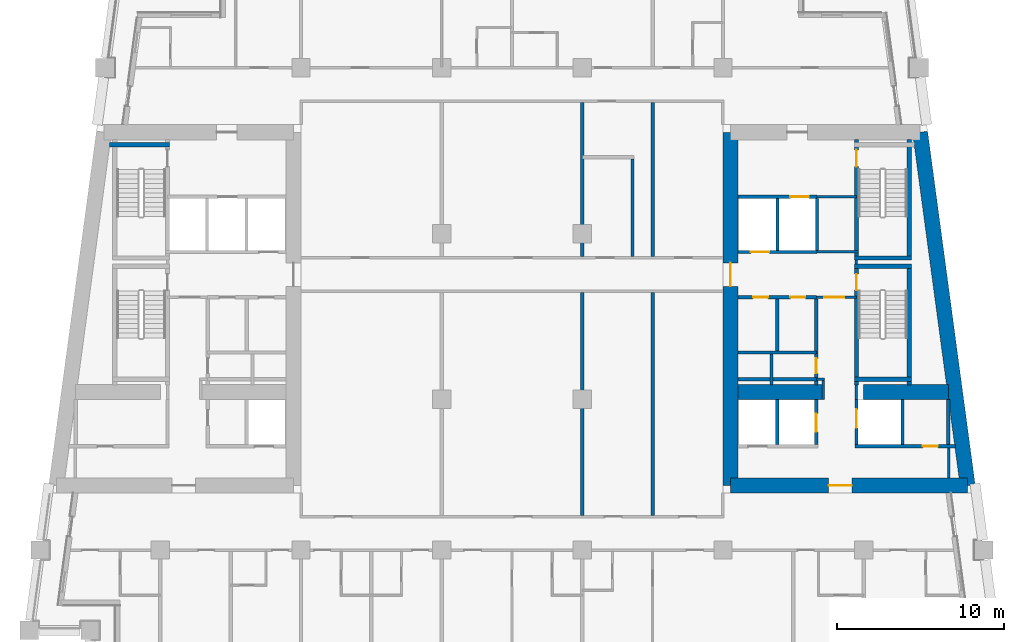
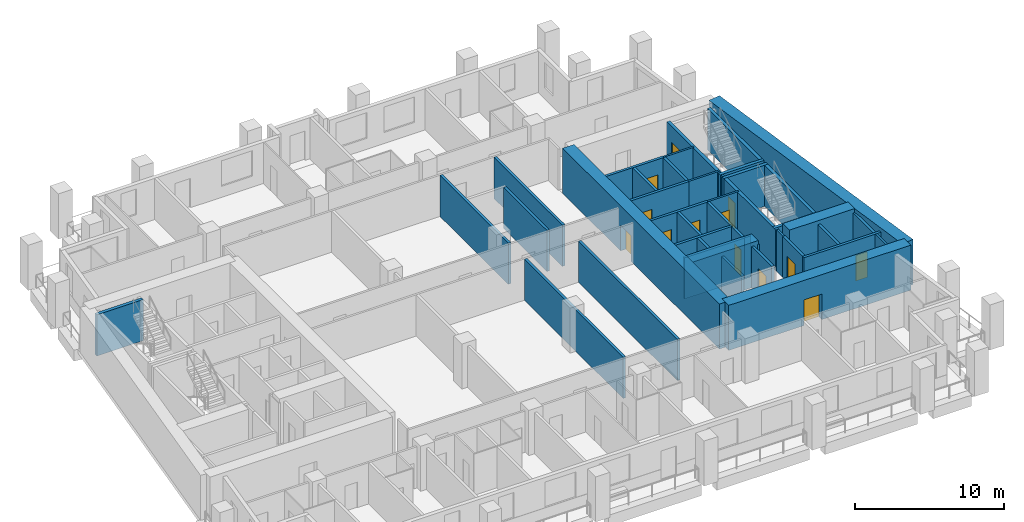
# One storey, part 5 of 12: 42 walls, 13 doors, 13 openings.
"""IFC4 building model written with IfcOpenShell, lengths in metres."""

from ifc_helpers import new_model, si_unit, direction, frame, frame_2d, origin, place, context, subcontext, project, spatial, rectangle, extrude, material, layer, layer_set, type_object, element, fill, save


model = new_model("IFC4")

# Units and contexts
model_context = context("Model", 3, precision=1e-05, world=origin(), true_north=direction((0.0, 1.0)))
body_context = subcontext(model_context, "Body", "Model", "MODEL_VIEW")
ifc_project = project(units=[si_unit("LENGTHUNIT", "METRE"), si_unit("AREAUNIT", "SQUARE_METRE"), si_unit("VOLUMEUNIT", "CUBIC_METRE"), si_unit("PLANEANGLEUNIT", "RADIAN"), si_unit("MASSUNIT", "GRAM", prefix="KILO")], contexts=[model_context])

# Site, building, storey
site_placement = place(None, origin())
site = spatial("IfcSite", under=ifc_project, at=site_placement, CompositionType="ELEMENT")
building_placement = place(site_placement, origin())
building = spatial("IfcBuilding", under=site, at=building_placement, Name="Candeia Pilgrim Tower and Theatre", CompositionType="ELEMENT")
storey_placement = place(building_placement, frame((0.0, 0.0, 147.800048828125)))
storey = spatial("IfcBuildingStorey", under=building, at=storey_placement, Name="L34", CompositionType="ELEMENT", Elevation=147.800048828125)

# Wall
ifc_material_1 = material(Name="Concrete C60/75", Category="concrete")
ifc_layer_1 = layer(ifc_material_1, 0.89990234375)
ifc_layer_set_1 = layer_set([ifc_layer_1], Name="Core wall 900 C60/75")
wall_type_1 = type_object("IfcWallType", Name="Core wall 900 C60/75", PredefinedType="SHEAR", material=ifc_layer_set_1)
wall_1_placement = place(storey_placement, frame((137.775634765625, 131.949951171875, 0.0), z_axis=(0.0, 0.0, 1.0), x_axis=(0.133421759112, -0.991059349482, 0.0)))
element("IfcWall", 1, at=wall_1_placement, inside=storey, type_object=wall_type_1, Name="Core wall E2", PredefinedType="SHEAR", context=body_context, shape_type="SweptSolid", body=[
    extrude(rectangle(XDim=21.290283203125, YDim=0.89990234375, at=frame_2d((10.64501953125, 0.0))), origin(), (0.0, 0.0, 1.0), 3.699951171875),
])

# Wall, opening, door
wall_2_placement = place(storey_placement, frame((140.6162109375, 110.85009765625, 0.0), z_axis=(0.0, 0.0, 1.0), x_axis=(-1.0, 0.0, 0.0)))
wall_2 = element("IfcWall", 2, at=wall_2_placement, inside=storey, type_object=wall_type_1, Name="Core wall E3", PredefinedType="SHEAR", context=body_context, shape_type="SweptSolid", body=[
    extrude(rectangle(XDim=14.166259765625, YDim=0.89990234375, at=frame_2d((7.0830078125, 0.0))), origin(), (0.0, 0.0, 1.0), 3.699951171875),
])
opening_1_placement = place(wall_2_placement, frame((6.911376953125, 0.0, 0.0)))
opening_1 = element("IfcOpeningElement", 3, at=opening_1_placement, cuts=wall_2, Name="Opening L34-D058", PredefinedType="OPENING", context=body_context, shape_type="SweptSolid", body=[
    extrude(rectangle(XDim=1.39990234375, YDim=2.10009765625, at=frame_2d((0.699951171875, 1.050048828125))), frame((0.0, 0.4599609375, 0.0), z_axis=(0.0, -1.0, 0.0), x_axis=(1.0, 0.0, 0.0)), (0.0, 0.0, 1.0), 0.919921875),
])
ifc_material_2 = material(Name="Steel fire door set", Category="steel")
door_type_1 = type_object("IfcDoorType", Name="D-1400-FD60", OperationType="NOTDEFINED", PredefinedType="DOOR", material=ifc_material_2)
door_1_placement = place(opening_1_placement, origin())
door_1 = element("IfcDoor", 4, at=door_1_placement, inside=storey, type_object=door_type_1, Name="Door L34-D058", OperationType="SINGLE_SWING_RIGHT", OverallHeight=2.10009765625, OverallWidth=1.39990234375, PredefinedType="DOOR", context=body_context, shape_type="SweptSolid", body=[
    extrude(rectangle(XDim=1.39990234375, YDim=2.10009765625, at=frame_2d((0.699951171875, 1.050048828125))), frame((0.0, 0.02490234375, 0.0), z_axis=(0.0, -1.0, 0.0), x_axis=(1.0, 0.0, 0.0)), (0.0, 0.0, 1.0), 0.050048828125),
])
fill(opening_1, door_1)

wall_3_placement = place(storey_placement, frame((126.449951171875, 110.85009765625, 0.0), z_axis=(0.0, 0.0, 1.0), x_axis=(0.0, 1.0, 0.0)))
wall_3 = element("IfcWall", 5, at=wall_3_placement, inside=storey, type_object=wall_type_1, Name="Core wall E4", PredefinedType="SHEAR", context=body_context, shape_type="SweptSolid", body=[
    extrude(rectangle(XDim=21.099853515625, YDim=0.89990234375, at=frame_2d((10.5498046875, 0.0))), origin(), (0.0, 0.0, 1.0), 3.699951171875),
])
opening_2_placement = place(wall_3_placement, frame((11.89990234375, 0.0, 0.0)))
opening_2 = element("IfcOpeningElement", 6, at=opening_2_placement, cuts=wall_3, Name="Opening L34-D060", PredefinedType="OPENING", context=body_context, shape_type="SweptSolid", body=[
    extrude(rectangle(XDim=1.39990234375, YDim=2.10009765625, at=frame_2d((0.699951171875, 1.050048828125))), frame((0.0, 0.4599609375, 0.0), z_axis=(0.0, -1.0, 0.0), x_axis=(1.0, 0.0, 0.0)), (0.0, 0.0, 1.0), 0.919921875),
])
door_2_placement = place(opening_2_placement, origin())
door_2 = element("IfcDoor", 7, at=door_2_placement, inside=storey, type_object=door_type_1, Name="Door L34-D060", OperationType="SINGLE_SWING_RIGHT", OverallHeight=2.10009765625, OverallWidth=1.39990234375, PredefinedType="DOOR", context=body_context, shape_type="SweptSolid", body=[
    extrude(rectangle(XDim=1.39990234375, YDim=2.10009765625, at=frame_2d((0.699951171875, 1.050048828125))), frame((0.0, 0.02490234375, 0.0), z_axis=(0.0, -1.0, 0.0), x_axis=(1.0, 0.0, 0.0)), (0.0, 0.0, 1.0), 0.050048828125),
])
fill(opening_2, door_2)

# Walls
wall_4_placement = place(storey_placement, frame((126.89990234375, 116.449951171875, 0.0), z_axis=(0.0, 0.0, 1.0), x_axis=(1.0, 0.0, 0.0)))
element("IfcWall", 8, at=wall_4_placement, inside=storey, type_object=wall_type_1, Name="Core wall E5", PredefinedType="SHEAR", context=body_context, shape_type="SweptSolid", body=[
    extrude(rectangle(XDim=5.10009765625, YDim=0.89990234375, at=frame_2d((2.550048828125, 0.0))), origin(), (0.0, 0.0, 1.0), 3.699951171875),
])
wall_5_placement = place(storey_placement, frame((134.39990234375, 116.449951171875, 0.0), z_axis=(0.0, 0.0, 1.0), x_axis=(1.0, 0.0, 0.0)))
element("IfcWall", 9, at=wall_5_placement, inside=storey, type_object=wall_type_1, Name="Core wall E6", PredefinedType="SHEAR", context=body_context, shape_type="SweptSolid", body=[
    extrude(rectangle(XDim=5.076904296875, YDim=0.89990234375, at=frame_2d((2.53857421875, 0.0))), origin(), (0.0, 0.0, 1.0), 3.699951171875),
])
ifc_material_3 = material(Name="Gypsum board partition on steel studs", Category="steel")
ifc_layer_2 = layer(ifc_material_3, 0.14990234375)
ifc_layer_set_2 = layer_set([ifc_layer_2], Name="PW-150 lobby wall")
wall_type_2 = type_object("IfcWallType", Name="PW-150 lobby wall", PredefinedType="PARTITIONING", material=ifc_layer_set_2)
wall_6_placement = place(storey_placement, frame((131.572998046875, 117.199951171875, 0.0), z_axis=(0.0, 0.0, 1.0), x_axis=(1.0, 0.0, 0.0)))
element("IfcWall", 10, at=wall_6_placement, inside=storey, type_object=wall_type_2, Name="Lobby wall L34-017", PredefinedType="PARTITIONING", context=body_context, shape_type="SweptSolid", body=[
    extrude(rectangle(XDim=0.501953125, YDim=0.14990234375, at=frame_2d((0.2509765625, 0.0))), origin(), (0.0, 0.0, 1.0), 3.3798828125),
])

# Wall, opening, door
wall_7_placement = place(storey_placement, frame((131.572998046875, 122.10009765625, 0.0), z_axis=(0.0, 0.0, 1.0), x_axis=(1.0, 0.0, 0.0)))
wall_7 = element("IfcWall", 11, at=wall_7_placement, inside=storey, type_object=wall_type_2, Name="Lobby wall L34-025", PredefinedType="PARTITIONING", context=body_context, shape_type="SweptSolid", body=[
    extrude(rectangle(XDim=2.39990234375, YDim=0.14990234375, at=frame_2d((1.199951171875, 0.0))), origin(), (0.0, 0.0, 1.0), 3.3798828125),
])
opening_3_placement = place(wall_7_placement, frame((0.47509765625, 0.0, 0.0)))
opening_3 = element("IfcOpeningElement", 12, at=opening_3_placement, cuts=wall_7, Name="Opening L34-D009", PredefinedType="OPENING", context=body_context, shape_type="SweptSolid", body=[
    extrude(rectangle(XDim=1.199951171875, YDim=2.10009765625, at=frame_2d((0.60009765625, 1.050048828125))), frame((0.0, 0.0849609375, 0.0), z_axis=(0.0, -1.0, 0.0), x_axis=(1.0, 0.0, 0.0)), (0.0, 0.0, 1.0), 0.169921875),
])
door_type_2 = type_object("IfcDoorType", Name="D-1200-FD60", OperationType="NOTDEFINED", PredefinedType="DOOR", material=ifc_material_2)
door_3_placement = place(opening_3_placement, origin())
door_3 = element("IfcDoor", 13, at=door_3_placement, inside=storey, type_object=door_type_2, Name="Door L34-D009", OperationType="SINGLE_SWING_RIGHT", OverallHeight=2.10009765625, OverallWidth=1.199951171875, PredefinedType="DOOR", context=body_context, shape_type="SweptSolid", body=[
    extrude(rectangle(XDim=1.199951171875, YDim=2.10009765625, at=frame_2d((0.60009765625, 1.050048828125))), frame((0.0, 0.02490234375, 0.0), z_axis=(0.0, -1.0, 0.0), x_axis=(1.0, 0.0, 0.0)), (0.0, 0.0, 1.0), 0.050048828125),
])
fill(opening_3, door_3)

# Walls
wall_8_placement = place(storey_placement, frame((131.615234375, 124.800048828125, 0.0), z_axis=(0.0, 0.0, 1.0), x_axis=(1.0, 0.0, 0.0)))
element("IfcWall", 14, at=wall_8_placement, inside=storey, type_object=wall_type_2, Name="Lobby wall L34-034", PredefinedType="PARTITIONING", context=body_context, shape_type="SweptSolid", body=[
    extrude(rectangle(XDim=2.482666015625, YDim=0.14990234375, at=frame_2d((1.2412109375, 0.0))), origin(), (0.0, 0.0, 1.0), 3.3798828125),
])
wall_9_placement = place(storey_placement, frame((131.615234375, 128.10009765625, 0.0), z_axis=(0.0, 0.0, 1.0), x_axis=(1.0, 0.0, 0.0)))
element("IfcWall", 15, at=wall_9_placement, inside=storey, type_object=wall_type_2, Name="Lobby wall L34-037", PredefinedType="PARTITIONING", context=body_context, shape_type="SweptSolid", body=[
    extrude(rectangle(XDim=2.357666015625, YDim=0.14990234375, at=frame_2d((1.1787109375, 0.0))), origin(), (0.0, 0.0, 1.0), 3.3798828125),
])
wall_10_placement = place(storey_placement, frame((132.0, 116.0, 0.0), z_axis=(0.0, 0.0, 1.0), x_axis=(0.0, 1.0, 0.0)))
element("IfcWall", 16, at=wall_10_placement, inside=storey, type_object=wall_type_2, Name="Lobby wall L34-108", PredefinedType="PARTITIONING", context=body_context, shape_type="SweptSolid", body=[
    extrude(rectangle(XDim=1.125, YDim=0.14990234375, at=frame_2d((0.5625, 0.0))), origin(), (0.0, 0.0, 1.0), 3.3798828125),
])
wall_11_placement = place(storey_placement, frame((133.972900390625, 116.0, 0.0), z_axis=(0.0, 0.0, 1.0), x_axis=(0.0, 1.0, 0.0)))
element("IfcWall", 17, at=wall_11_placement, inside=storey, type_object=wall_type_2, Name="Lobby wall L34-110", PredefinedType="PARTITIONING", context=body_context, shape_type="SweptSolid", body=[
    extrude(rectangle(XDim=0.8701171875, YDim=0.14990234375, at=frame_2d((0.43505859375, 0.0))), origin(), (0.0, 0.0, 1.0), 3.3798828125),
])
wall_12_placement = place(storey_placement, frame((133.972900390625, 124.074951171875, 0.0), z_axis=(0.0, 0.0, 1.0), x_axis=(0.0, 1.0, 0.0)))
element("IfcWall", 18, at=wall_12_placement, inside=storey, type_object=wall_type_2, Name="Lobby wall L34-111", PredefinedType="PARTITIONING", context=body_context, shape_type="SweptSolid", body=[
    extrude(rectangle(XDim=0.25, YDim=0.14990234375, at=frame_2d((0.125, 0.0))), origin(), (0.0, 0.0, 1.0), 3.3798828125),
])
wall_13_placement = place(storey_placement, frame((139.471923828125, 111.300048828125, 0.0), z_axis=(0.0, 0.0, 1.0), x_axis=(0.0, 1.0, 0.0)))
element("IfcWall", 19, at=wall_13_placement, inside=storey, type_object=wall_type_2, Name="Lobby wall L34-120", PredefinedType="PARTITIONING", context=body_context, shape_type="SweptSolid", body=[
    extrude(rectangle(XDim=1.800048828125, YDim=0.14990234375, at=frame_2d((0.89990234375, 0.0))), origin(), (0.0, 0.0, 1.0), 3.3798828125),
])
ifc_layer_3 = layer(ifc_material_3, 0.199951171875)
ifc_layer_set_3 = layer_set([ifc_layer_3], Name="PW-200 party wall")
wall_type_3 = type_object("IfcWallType", Name="PW-200 party wall", PredefinedType="PARTITIONING", material=ifc_layer_set_3)
wall_14_placement = place(storey_placement, frame((117.60009765625, 109.074951171875, 0.0), z_axis=(0.0, 0.0, 1.0), x_axis=(0.0, 1.0, 0.0)))
element("IfcWall", 20, at=wall_14_placement, inside=storey, type_object=wall_type_3, Name="Party wall L34-087", PredefinedType="PARTITIONING", context=body_context, shape_type="SweptSolid", body=[
    extrude(rectangle(XDim=13.300048828125, YDim=0.199951171875, at=frame_2d((6.64990234375, 0.0))), origin(), (0.0, 0.0, 1.0), 3.3798828125),
])
wall_15_placement = place(storey_placement, frame((117.60009765625, 124.52490234375, 0.0), z_axis=(0.0, 0.0, 1.0), x_axis=(0.0, 1.0, 0.0)))
element("IfcWall", 21, at=wall_15_placement, inside=storey, type_object=wall_type_3, Name="Party wall L34-088", PredefinedType="PARTITIONING", context=body_context, shape_type="SweptSolid", body=[
    extrude(rectangle(XDim=9.2001953125, YDim=0.199951171875, at=frame_2d((4.60009765625, 0.0))), origin(), (0.0, 0.0, 1.0), 3.3798828125),
])
wall_16_placement = place(storey_placement, frame((120.60009765625, 124.52490234375, 0.0), z_axis=(0.0, 0.0, 1.0), x_axis=(0.0, 1.0, 0.0)))
element("IfcWall", 22, at=wall_16_placement, inside=storey, type_object=wall_type_3, Name="Party wall L34-090", PredefinedType="PARTITIONING", context=body_context, shape_type="SweptSolid", body=[
    extrude(rectangle(XDim=5.8251953125, YDim=0.199951171875, at=frame_2d((2.91259765625, 0.0))), origin(), (0.0, 0.0, 1.0), 3.3798828125),
])
wall_17_placement = place(storey_placement, frame((121.800048828125, 109.074951171875, 0.0), z_axis=(0.0, 0.0, 1.0), x_axis=(0.0, 1.0, 0.0)))
element("IfcWall", 23, at=wall_17_placement, inside=storey, type_object=wall_type_3, Name="Party wall L34-092", PredefinedType="PARTITIONING", context=body_context, shape_type="SweptSolid", body=[
    extrude(rectangle(XDim=13.300048828125, YDim=0.199951171875, at=frame_2d((6.64990234375, 0.0))), origin(), (0.0, 0.0, 1.0), 3.3798828125),
])
wall_18_placement = place(storey_placement, frame((121.800048828125, 124.52490234375, 0.0), z_axis=(0.0, 0.0, 1.0), x_axis=(0.0, 1.0, 0.0)))
element("IfcWall", 24, at=wall_18_placement, inside=storey, type_object=wall_type_3, Name="Party wall L34-093", PredefinedType="PARTITIONING", context=body_context, shape_type="SweptSolid", body=[
    extrude(rectangle(XDim=9.2001953125, YDim=0.199951171875, at=frame_2d((4.60009765625, 0.0))), origin(), (0.0, 0.0, 1.0), 3.3798828125),
])

# Wall, opening, door
ifc_material_4 = material(Name="Concrete C40/50", Category="concrete")
ifc_layer_4 = layer(ifc_material_4, 0.199951171875)
ifc_layer_set_4 = layer_set([ifc_layer_4], Name="SW-200 shaft wall")
wall_type_4 = type_object("IfcWallType", Name="SW-200 shaft wall", PredefinedType="PARTITIONING", material=ifc_layer_set_4)
wall_19_placement = place(storey_placement, frame((133.873046875, 113.199951171875, 0.0), z_axis=(0.0, 0.0, 1.0), x_axis=(1.0, 0.0, 0.0)))
wall_19 = element("IfcWall", 25, at=wall_19_placement, inside=storey, type_object=wall_type_4, Name="Shaft wall L34-013", PredefinedType="PARTITIONING", context=body_context, shape_type="SweptSolid", body=[
    extrude(rectangle(XDim=6.002685546875, YDim=0.199951171875, at=frame_2d((3.00146484375, 0.0))), origin(), (0.0, 0.0, 1.0), 3.3798828125),
])
opening_4_placement = place(wall_19_placement, frame((4.06201171875, 0.0, 0.0)))
opening_4 = element("IfcOpeningElement", 26, at=opening_4_placement, cuts=wall_19, Name="Opening L34-D015", PredefinedType="OPENING", context=body_context, shape_type="SweptSolid", body=[
    extrude(rectangle(XDim=0.89990234375, YDim=2.10009765625, at=frame_2d((0.449951171875, 1.050048828125))), frame((0.0, 0.10986328125, 0.0), z_axis=(0.0, -1.0, 0.0), x_axis=(1.0, 0.0, 0.0)), (0.0, 0.0, 1.0), 0.219970703125),
])
door_type_3 = type_object("IfcDoorType", Name="D-900-FD60", OperationType="NOTDEFINED", PredefinedType="DOOR", material=ifc_material_2)
door_4_placement = place(opening_4_placement, origin())
door_4 = element("IfcDoor", 27, at=door_4_placement, inside=storey, type_object=door_type_3, Name="Door L34-D015", OperationType="SINGLE_SWING_LEFT", OverallHeight=2.10009765625, OverallWidth=0.89990234375, PredefinedType="DOOR", context=body_context, shape_type="SweptSolid", body=[
    extrude(rectangle(XDim=0.89990234375, YDim=2.10009765625, at=frame_2d((0.449951171875, 1.050048828125))), frame((0.0, 0.02490234375, 0.0), z_axis=(0.0, -1.0, 0.0), x_axis=(1.0, 0.0, 0.0)), (0.0, 0.0, 1.0), 0.050048828125),
])
fill(opening_4, door_4)

# Walls
for number, where, z_axis, x_axis, name in (
    (28, (126.89990234375, 117.199951171875, 0.0), (0.0, 0.0, 1.0), (1.0, 0.0, 0.0), "Shaft wall L34-015"),
    (29, (126.89990234375, 118.800048828125, 0.0), (0.0, 0.0, 1.0), (1.0, 0.0, 0.0), "Shaft wall L34-021"),
):
    element("IfcWall", number, at=place(storey_placement, frame(where, z_axis=z_axis, x_axis=x_axis)), inside=storey, type_object=wall_type_4, Name=name, PredefinedType="PARTITIONING", context=body_context, shape_type="SweptSolid", body=[
        extrude(rectangle(XDim=4.673095703125, YDim=0.199951171875, at=frame_2d((2.33642578125, 0.0))), origin(), (0.0, 0.0, 1.0), 3.3798828125),
    ])

# Wall, openings, doors
wall_20_placement = place(storey_placement, frame((126.89990234375, 122.10009765625, 0.0), z_axis=(0.0, 0.0, 1.0), x_axis=(1.0, 0.0, 0.0)))
wall_20 = element("IfcWall", 30, at=wall_20_placement, inside=storey, type_object=wall_type_4, Name="Shaft wall L34-023", PredefinedType="PARTITIONING", context=body_context, shape_type="SweptSolid", body=[
    extrude(rectangle(XDim=4.673095703125, YDim=0.199951171875, at=frame_2d((2.33642578125, 0.0))), origin(), (0.0, 0.0, 1.0), 3.3798828125),
])
opening_5_placement = place(wall_20_placement, frame((3.1279296875, 0.0, 0.0)))
opening_5 = element("IfcOpeningElement", 31, at=opening_5_placement, cuts=wall_20, Name="Opening L34-D010", PredefinedType="OPENING", context=body_context, shape_type="SweptSolid", body=[
    extrude(rectangle(XDim=0.89990234375, YDim=2.10009765625, at=frame_2d((0.449951171875, 1.050048828125))), frame((0.0, 0.10986328125, 0.0), z_axis=(0.0, -1.0, 0.0), x_axis=(1.0, 0.0, 0.0)), (0.0, 0.0, 1.0), 0.219970703125),
])
opening_6_placement = place(wall_20_placement, frame((0.902099609375, 0.0, 0.0)))
opening_6 = element("IfcOpeningElement", 32, at=opening_6_placement, cuts=wall_20, Name="Opening L34-D011", PredefinedType="OPENING", context=body_context, shape_type="SweptSolid", body=[
    extrude(rectangle(XDim=0.89990234375, YDim=2.10009765625, at=frame_2d((0.449951171875, 1.050048828125))), frame((0.0, 0.10986328125, 0.0), z_axis=(0.0, -1.0, 0.0), x_axis=(1.0, 0.0, 0.0)), (0.0, 0.0, 1.0), 0.219970703125),
])
door_5_placement = place(opening_5_placement, origin())
door_5 = element("IfcDoor", 33, at=door_5_placement, inside=storey, type_object=door_type_3, Name="Door L34-D010", OperationType="SINGLE_SWING_LEFT", OverallHeight=2.10009765625, OverallWidth=0.89990234375, PredefinedType="DOOR", context=body_context, shape_type="SweptSolid", body=[
    extrude(rectangle(XDim=0.89990234375, YDim=2.10009765625, at=frame_2d((0.449951171875, 1.050048828125))), frame((0.0, 0.02490234375, 0.0), z_axis=(0.0, -1.0, 0.0), x_axis=(1.0, 0.0, 0.0)), (0.0, 0.0, 1.0), 0.050048828125),
])
fill(opening_5, door_5)
door_6_placement = place(opening_6_placement, origin())
door_6 = element("IfcDoor", 34, at=door_6_placement, inside=storey, type_object=door_type_3, Name="Door L34-D011", OperationType="SINGLE_SWING_RIGHT", OverallHeight=2.10009765625, OverallWidth=0.89990234375, PredefinedType="DOOR", context=body_context, shape_type="SweptSolid", body=[
    extrude(rectangle(XDim=0.89990234375, YDim=2.10009765625, at=frame_2d((0.449951171875, 1.050048828125))), frame((0.0, 0.02490234375, 0.0), z_axis=(0.0, -1.0, 0.0), x_axis=(1.0, 0.0, 0.0)), (0.0, 0.0, 1.0), 0.050048828125),
])
fill(opening_6, door_6)

# Wall, opening, door
wall_21_placement = place(storey_placement, frame((126.89990234375, 124.800048828125, 0.0), z_axis=(0.0, 0.0, 1.0), x_axis=(1.0, 0.0, 0.0)))
wall_21 = element("IfcWall", 35, at=wall_21_placement, inside=storey, type_object=wall_type_4, Name="Shaft wall L34-033", PredefinedType="PARTITIONING", context=body_context, shape_type="SweptSolid", body=[
    extrude(rectangle(XDim=4.71533203125, YDim=0.199951171875, at=frame_2d((2.357666015625, 0.0))), origin(), (0.0, 0.0, 1.0), 3.3798828125),
])
opening_7_placement = place(wall_21_placement, frame((0.76806640625, 0.0, 0.0)))
opening_7 = element("IfcOpeningElement", 36, at=opening_7_placement, cuts=wall_21, Name="Opening L34-LD05", PredefinedType="OPENING", context=body_context, shape_type="SweptSolid", body=[
    extrude(rectangle(XDim=1.10009765625, YDim=2.10009765625, at=frame_2d((0.550048828125, 1.050048828125))), frame((0.0, 0.10986328125, 0.0), z_axis=(0.0, -1.0, 0.0), x_axis=(1.0, 0.0, 0.0)), (0.0, 0.0, 1.0), 0.219970703125),
])
ifc_material_5 = material(Name="Glazed aluminium landing door", Category="aluminium")
door_type_4 = type_object("IfcDoorType", Name="LD-1100-EI120", OperationType="SLIDING_TO_LEFT", PredefinedType="DOOR", material=ifc_material_5)
door_7_placement = place(opening_7_placement, origin())
door_7 = element("IfcDoor", 37, at=door_7_placement, inside=storey, type_object=door_type_4, Name="Landing door 05 L34", OperationType="SLIDING_TO_LEFT", OverallHeight=2.10009765625, OverallWidth=1.10009765625, PredefinedType="DOOR", context=body_context, shape_type="SweptSolid", body=[
    extrude(rectangle(XDim=1.10009765625, YDim=2.10009765625, at=frame_2d((0.550048828125, 1.050048828125))), frame((0.0, 0.02490234375, 0.0), z_axis=(0.0, -1.0, 0.0), x_axis=(1.0, 0.0, 0.0)), (0.0, 0.0, 1.0), 0.050048828125),
])
fill(opening_7, door_7)

wall_22_placement = place(storey_placement, frame((126.89990234375, 128.10009765625, 0.0), z_axis=(0.0, 0.0, 1.0), x_axis=(1.0, 0.0, 0.0)))
wall_22 = element("IfcWall", 38, at=wall_22_placement, inside=storey, type_object=wall_type_4, Name="Shaft wall L34-036", PredefinedType="PARTITIONING", context=body_context, shape_type="SweptSolid", body=[
    extrude(rectangle(XDim=4.71533203125, YDim=0.199951171875, at=frame_2d((2.357666015625, 0.0))), origin(), (0.0, 0.0, 1.0), 3.3798828125),
])
opening_8_placement = place(wall_22_placement, frame((3.1259765625, 0.0, 0.0)))
opening_8 = element("IfcOpeningElement", 39, at=opening_8_placement, cuts=wall_22, Name="Opening L34-LD04", PredefinedType="OPENING", context=body_context, shape_type="SweptSolid", body=[
    extrude(rectangle(XDim=1.10009765625, YDim=2.10009765625, at=frame_2d((0.550048828125, 1.050048828125))), frame((0.0, 0.10986328125, 0.0), z_axis=(0.0, -1.0, 0.0), x_axis=(1.0, 0.0, 0.0)), (0.0, 0.0, 1.0), 0.219970703125),
])
door_8_placement = place(opening_8_placement, origin())
door_8 = element("IfcDoor", 40, at=door_8_placement, inside=storey, type_object=door_type_4, Name="Landing door 04 L34", OperationType="SLIDING_TO_LEFT", OverallHeight=2.10009765625, OverallWidth=1.10009765625, PredefinedType="DOOR", context=body_context, shape_type="SweptSolid", body=[
    extrude(rectangle(XDim=1.10009765625, YDim=2.10009765625, at=frame_2d((0.550048828125, 1.050048828125))), frame((0.0, 0.02490234375, 0.0), z_axis=(0.0, -1.0, 0.0), x_axis=(1.0, 0.0, 0.0)), (0.0, 0.0, 1.0), 0.050048828125),
])
fill(opening_8, door_8)

# Walls
wall_23_placement = place(storey_placement, frame((128.89990234375, 116.8701171875, 0.0), z_axis=(0.0, 0.0, 1.0), x_axis=(0.0, 1.0, 0.0)))
element("IfcWall", 41, at=wall_23_placement, inside=storey, type_object=wall_type_4, Name="Shaft wall L34-099", PredefinedType="PARTITIONING", context=body_context, shape_type="SweptSolid", body=[
    extrude(rectangle(XDim=1.829833984375, YDim=0.199951171875, at=frame_2d((0.9150390625, 0.0))), origin(), (0.0, 0.0, 1.0), 3.3798828125),
])
wall_24_placement = place(storey_placement, frame((129.236572265625, 113.300048828125, 0.0), z_axis=(0.0, 0.0, 1.0), x_axis=(0.0, 1.0, 0.0)))
element("IfcWall", 42, at=wall_24_placement, inside=storey, type_object=wall_type_4, Name="Shaft wall L34-100", PredefinedType="PARTITIONING", context=body_context, shape_type="SweptSolid", body=[
    extrude(rectangle(XDim=2.699951171875, YDim=0.199951171875, at=frame_2d((1.35009765625, 0.0))), origin(), (0.0, 0.0, 1.0), 3.3798828125),
])
for number, where, z_axis, x_axis, name in (
    (43, (129.236572265625, 118.89990234375, 0.0), (0.0, 0.0, 1.0), (0.0, 1.0, 0.0), "Shaft wall L34-101"),
    (44, (129.2578125, 124.89990234375, 0.0), (0.0, 0.0, 1.0), (0.0, 1.0, 0.0), "Shaft wall L34-102"),
):
    element("IfcWall", number, at=place(storey_placement, frame(where, z_axis=z_axis, x_axis=x_axis)), inside=storey, type_object=wall_type_4, Name=name, PredefinedType="PARTITIONING", context=body_context, shape_type="SweptSolid", body=[
        extrude(rectangle(XDim=3.10009765625, YDim=0.199951171875, at=frame_2d((1.550048828125, 0.0))), origin(), (0.0, 0.0, 1.0), 3.3798828125),
    ])

# Wall, opening, door
wall_25_placement = place(storey_placement, frame((131.572998046875, 113.300048828125, 0.0), z_axis=(0.0, 0.0, 1.0), x_axis=(0.0, 1.0, 0.0)))
wall_25 = element("IfcWall", 45, at=wall_25_placement, inside=storey, type_object=wall_type_4, Name="Shaft wall L34-104", PredefinedType="PARTITIONING", context=body_context, shape_type="SweptSolid", body=[
    extrude(rectangle(XDim=2.699951171875, YDim=0.199951171875, at=frame_2d((1.35009765625, 0.0))), origin(), (0.0, 0.0, 1.0), 3.3798828125),
])
opening_9_placement = place(wall_25_placement, frame((0.75, 0.0, 0.0)))
opening_9 = element("IfcOpeningElement", 46, at=opening_9_placement, cuts=wall_25, Name="Opening L34-LD07", PredefinedType="OPENING", context=body_context, shape_type="SweptSolid", body=[
    extrude(rectangle(XDim=1.10009765625, YDim=2.10009765625, at=frame_2d((0.550048828125, 1.050048828125))), frame((0.0, 0.10986328125, 0.0), z_axis=(0.0, -1.0, 0.0), x_axis=(1.0, 0.0, 0.0)), (0.0, 0.0, 1.0), 0.219970703125),
])
door_9_placement = place(opening_9_placement, origin())
door_9 = element("IfcDoor", 47, at=door_9_placement, inside=storey, type_object=door_type_4, Name="Landing door 07 L34", OperationType="SLIDING_TO_LEFT", OverallHeight=2.10009765625, OverallWidth=1.10009765625, PredefinedType="DOOR", context=body_context, shape_type="SweptSolid", body=[
    extrude(rectangle(XDim=1.10009765625, YDim=2.10009765625, at=frame_2d((0.550048828125, 1.050048828125))), frame((0.0, 0.02490234375, 0.0), z_axis=(0.0, -1.0, 0.0), x_axis=(1.0, 0.0, 0.0)), (0.0, 0.0, 1.0), 0.050048828125),
])
fill(opening_9, door_9)

wall_26_placement = place(storey_placement, frame((131.572998046875, 116.8701171875, 0.0), z_axis=(0.0, 0.0, 1.0), x_axis=(0.0, 1.0, 0.0)))
wall_26 = element("IfcWall", 48, at=wall_26_placement, inside=storey, type_object=wall_type_4, Name="Shaft wall L34-105", PredefinedType="PARTITIONING", context=body_context, shape_type="SweptSolid", body=[
    extrude(rectangle(XDim=5.1298828125, YDim=0.199951171875, at=frame_2d((2.56494140625, 0.0))), origin(), (0.0, 0.0, 1.0), 3.3798828125),
])
opening_10_placement = place(wall_26_placement, frame((0.679931640625, 0.0, 0.0)))
opening_10 = element("IfcOpeningElement", 49, at=opening_10_placement, cuts=wall_26, Name="Opening L34-D014", PredefinedType="OPENING", context=body_context, shape_type="SweptSolid", body=[
    extrude(rectangle(XDim=0.89990234375, YDim=2.10009765625, at=frame_2d((0.449951171875, 1.050048828125))), frame((0.0, 0.10986328125, 0.0), z_axis=(0.0, -1.0, 0.0), x_axis=(1.0, 0.0, 0.0)), (0.0, 0.0, 1.0), 0.219970703125),
])
door_10_placement = place(opening_10_placement, origin())
door_10 = element("IfcDoor", 50, at=door_10_placement, inside=storey, type_object=door_type_3, Name="Door L34-D014", OperationType="SINGLE_SWING_LEFT", OverallHeight=2.10009765625, OverallWidth=0.89990234375, PredefinedType="DOOR", context=body_context, shape_type="SweptSolid", body=[
    extrude(rectangle(XDim=0.89990234375, YDim=2.10009765625, at=frame_2d((0.449951171875, 1.050048828125))), frame((0.0, 0.02490234375, 0.0), z_axis=(0.0, -1.0, 0.0), x_axis=(1.0, 0.0, 0.0)), (0.0, 0.0, 1.0), 0.050048828125),
])
fill(opening_10, door_10)

# Wall
wall_27_placement = place(storey_placement, frame((131.615234375, 124.89990234375, 0.0), z_axis=(0.0, 0.0, 1.0), x_axis=(0.0, 1.0, 0.0)))
element("IfcWall", 51, at=wall_27_placement, inside=storey, type_object=wall_type_4, Name="Shaft wall L34-106", PredefinedType="PARTITIONING", context=body_context, shape_type="SweptSolid", body=[
    extrude(rectangle(XDim=3.10009765625, YDim=0.199951171875, at=frame_2d((1.550048828125, 0.0))), origin(), (0.0, 0.0, 1.0), 3.3798828125),
])

# Wall, opening, door
wall_28_placement = place(storey_placement, frame((133.972900390625, 113.300048828125, 0.0), z_axis=(0.0, 0.0, 1.0), x_axis=(0.0, 1.0, 0.0)))
wall_28 = element("IfcWall", 52, at=wall_28_placement, inside=storey, type_object=wall_type_4, Name="Shaft wall L34-109", PredefinedType="PARTITIONING", context=body_context, shape_type="SweptSolid", body=[
    extrude(rectangle(XDim=2.699951171875, YDim=0.199951171875, at=frame_2d((1.35009765625, 0.0))), origin(), (0.0, 0.0, 1.0), 3.3798828125),
])
opening_11_placement = place(wall_28_placement, frame((1.0, 0.0, 0.0)))
opening_11 = element("IfcOpeningElement", 53, at=opening_11_placement, cuts=wall_28, Name="Opening L34-LD06", PredefinedType="OPENING", context=body_context, shape_type="SweptSolid", body=[
    extrude(rectangle(XDim=1.10009765625, YDim=2.10009765625, at=frame_2d((0.550048828125, 1.050048828125))), frame((0.0, 0.10986328125, 0.0), z_axis=(0.0, -1.0, 0.0), x_axis=(1.0, 0.0, 0.0)), (0.0, 0.0, 1.0), 0.219970703125),
])
door_11_placement = place(opening_11_placement, origin())
door_11 = element("IfcDoor", 54, at=door_11_placement, inside=storey, type_object=door_type_4, Name="Landing door 06 L34", OperationType="SLIDING_TO_LEFT", OverallHeight=2.10009765625, OverallWidth=1.10009765625, PredefinedType="DOOR", context=body_context, shape_type="SweptSolid", body=[
    extrude(rectangle(XDim=1.10009765625, YDim=2.10009765625, at=frame_2d((0.550048828125, 1.050048828125))), frame((0.0, 0.02490234375, 0.0), z_axis=(0.0, -1.0, 0.0), x_axis=(1.0, 0.0, 0.0)), (0.0, 0.0, 1.0), 0.050048828125),
])
fill(opening_11, door_11)

# Walls
for number, where, z_axis, x_axis, name in (
    (55, (136.722412109375, 113.300048828125, 0.0), (0.0, 0.0, 1.0), (0.0, 1.0, 0.0), "Shaft wall L34-115"),
    (56, (139.44970703125, 113.300048828125, 0.0), (0.0, 0.0, 1.0), (0.0, 1.0, 0.0), "Shaft wall L34-119"),
):
    element("IfcWall", number, at=place(storey_placement, frame(where, z_axis=z_axis, x_axis=x_axis)), inside=storey, type_object=wall_type_4, Name=name, PredefinedType="PARTITIONING", context=body_context, shape_type="SweptSolid", body=[
        extrude(rectangle(XDim=2.699951171875, YDim=0.199951171875, at=frame_2d((1.35009765625, 0.0))), origin(), (0.0, 0.0, 1.0), 3.3798828125),
    ])
ifc_layer_5 = layer(ifc_material_4, 0.25)
ifc_layer_set_5 = layer_set([ifc_layer_5], Name="SW-250 stair wall")
wall_type_5 = type_object("IfcWallType", Name="SW-250 stair wall", PredefinedType="PARTITIONING", material=ifc_layer_set_5)
for number, where, z_axis, x_axis, name in (
    (57, (133.847900390625, 117.199951171875, 0.0), (0.0, 0.0, 1.0), (1.0, 0.0, 0.0), "Stair wall L34-019"),
    (58, (133.847900390625, 123.949951171875, 0.0), (0.0, 0.0, 1.0), (1.0, 0.0, 0.0), "Stair wall L34-028"),
    (59, (133.847900390625, 124.449951171875, 0.0), (0.0, 0.0, 1.0), (1.0, 0.0, 0.0), "Stair wall L34-030"),
):
    element("IfcWall", number, at=place(storey_placement, frame(where, z_axis=z_axis, x_axis=x_axis)), inside=storey, type_object=wall_type_5, Name=name, PredefinedType="PARTITIONING", context=body_context, shape_type="SweptSolid", body=[
        extrude(rectangle(XDim=3.400146484375, YDim=0.25, at=frame_2d((1.7001953125, 0.0))), origin(), (0.0, 0.0, 1.0), 3.3798828125),
    ])
wall_29_placement = place(storey_placement, frame((89.347412109375, 131.199951171875, 0.0), z_axis=(0.0, 0.0, 1.0), x_axis=(1.0, 0.0, 0.0)))
element("IfcWall", 60, at=wall_29_placement, inside=storey, type_object=wall_type_5, Name="Stair wall L34-039", PredefinedType="PARTITIONING", context=body_context, shape_type="SweptSolid", body=[
    extrude(rectangle(XDim=3.6044921875, YDim=0.25, at=frame_2d((1.80224609375, 0.0))), origin(), (0.0, 0.0, 1.0), 3.3798828125),
])

# Wall, opening, door
wall_30_placement = place(storey_placement, frame((133.972900390625, 116.8701171875, 0.0), z_axis=(0.0, 0.0, 1.0), x_axis=(0.0, 1.0, 0.0)))
wall_30 = element("IfcWall", 61, at=wall_30_placement, inside=storey, type_object=wall_type_5, Name="Stair wall L34-112", PredefinedType="PARTITIONING", context=body_context, shape_type="SweptSolid", body=[
    extrude(rectangle(XDim=6.954833984375, YDim=0.25, at=frame_2d((3.4775390625, 0.0))), origin(), (0.0, 0.0, 1.0), 3.3798828125),
])
opening_12_placement = place(wall_30_placement, frame((5.655029296875, 0.0, 0.0)))
opening_12 = element("IfcOpeningElement", 62, at=opening_12_placement, cuts=wall_30, Name="Opening L34-D012", PredefinedType="OPENING", context=body_context, shape_type="SweptSolid", body=[
    extrude(rectangle(XDim=0.949951171875, YDim=2.10009765625, at=frame_2d((0.47509765625, 1.050048828125))), frame((0.0, 0.135009765625, 0.0), z_axis=(0.0, -1.0, 0.0), x_axis=(1.0, 0.0, 0.0)), (0.0, 0.0, 1.0), 0.27001953125),
])
door_type_5 = type_object("IfcDoorType", Name="D-950-FD60", OperationType="NOTDEFINED", PredefinedType="DOOR", material=ifc_material_2)
door_12_placement = place(opening_12_placement, origin())
door_12 = element("IfcDoor", 63, at=door_12_placement, inside=storey, type_object=door_type_5, Name="Door L34-D012", OperationType="SINGLE_SWING_LEFT", OverallHeight=2.10009765625, OverallWidth=0.949951171875, PredefinedType="DOOR", context=body_context, shape_type="SweptSolid", body=[
    extrude(rectangle(XDim=0.949951171875, YDim=2.10009765625, at=frame_2d((0.47509765625, 1.050048828125))), frame((0.0, 0.02490234375, 0.0), z_axis=(0.0, -1.0, 0.0), x_axis=(1.0, 0.0, 0.0)), (0.0, 0.0, 1.0), 0.050048828125),
])
fill(opening_12, door_12)

wall_31_placement = place(storey_placement, frame((133.972900390625, 124.574951171875, 0.0), z_axis=(0.0, 0.0, 1.0), x_axis=(0.0, 1.0, 0.0)))
wall_31 = element("IfcWall", 64, at=wall_31_placement, inside=storey, type_object=wall_type_5, Name="Stair wall L34-113", PredefinedType="PARTITIONING", context=body_context, shape_type="SweptSolid", body=[
    extrude(rectangle(XDim=6.955078125, YDim=0.25, at=frame_2d((3.4775390625, 0.0))), origin(), (0.0, 0.0, 1.0), 3.3798828125),
])
opening_13_placement = place(wall_31_placement, frame((5.324951171875, 0.0, 0.0)))
opening_13 = element("IfcOpeningElement", 65, at=opening_13_placement, cuts=wall_31, Name="Opening L34-D013", PredefinedType="OPENING", context=body_context, shape_type="SweptSolid", body=[
    extrude(rectangle(XDim=1.0, YDim=2.10009765625, at=frame_2d((0.5, 1.050048828125))), frame((0.0, 0.135009765625, 0.0), z_axis=(0.0, -1.0, 0.0), x_axis=(1.0, 0.0, 0.0)), (0.0, 0.0, 1.0), 0.27001953125),
])
door_type_6 = type_object("IfcDoorType", Name="D-1000-FD60", OperationType="NOTDEFINED", PredefinedType="DOOR", material=ifc_material_2)
door_13_placement = place(opening_13_placement, origin())
door_13 = element("IfcDoor", 66, at=door_13_placement, inside=storey, type_object=door_type_6, Name="Door L34-D013", OperationType="SINGLE_SWING_RIGHT", OverallHeight=2.10009765625, OverallWidth=1.0, PredefinedType="DOOR", context=body_context, shape_type="SweptSolid", body=[
    extrude(rectangle(XDim=1.0, YDim=2.10009765625, at=frame_2d((0.5, 1.050048828125))), frame((0.0, 0.02490234375, 0.0), z_axis=(0.0, -1.0, 0.0), x_axis=(1.0, 0.0, 0.0)), (0.0, 0.0, 1.0), 0.050048828125),
])
fill(opening_13, door_13)

# Walls
wall_32_placement = place(storey_placement, frame((137.123046875, 116.8701171875, 0.0), z_axis=(0.0, 0.0, 1.0), x_axis=(0.0, 1.0, 0.0)))
element("IfcWall", 67, at=wall_32_placement, inside=storey, type_object=wall_type_5, Name="Stair wall L34-116", PredefinedType="PARTITIONING", context=body_context, shape_type="SweptSolid", body=[
    extrude(rectangle(XDim=6.954833984375, YDim=0.25, at=frame_2d((3.4775390625, 0.0))), origin(), (0.0, 0.0, 1.0), 3.3798828125),
])
wall_33_placement = place(storey_placement, frame((137.123046875, 124.574951171875, 0.0), z_axis=(0.0, 0.0, 1.0), x_axis=(0.0, 1.0, 0.0)))
element("IfcWall", 68, at=wall_33_placement, inside=storey, type_object=wall_type_5, Name="Stair wall L34-117", PredefinedType="PARTITIONING", context=body_context, shape_type="SweptSolid", body=[
    extrude(rectangle(XDim=6.955078125, YDim=0.25, at=frame_2d((3.4775390625, 0.0))), origin(), (0.0, 0.0, 1.0), 3.3798828125),
])

save(model, "model.ifc")
